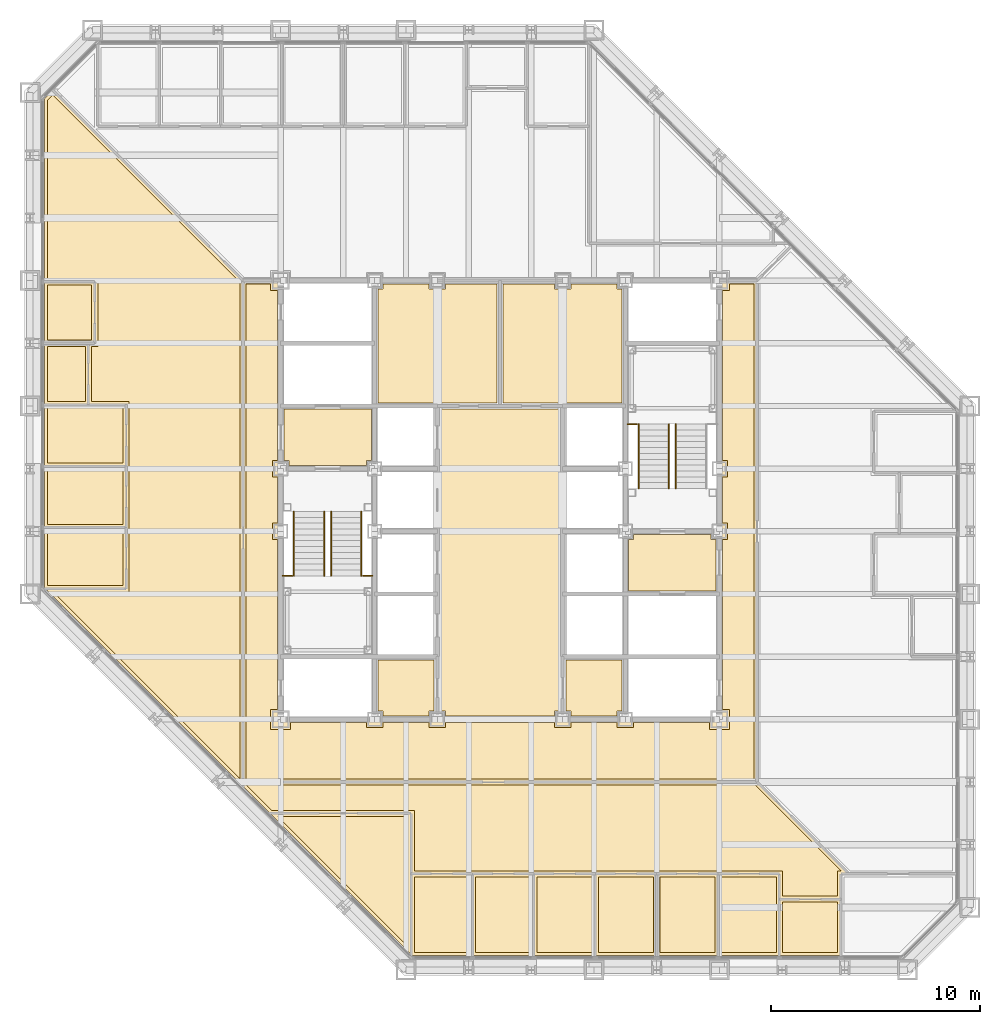
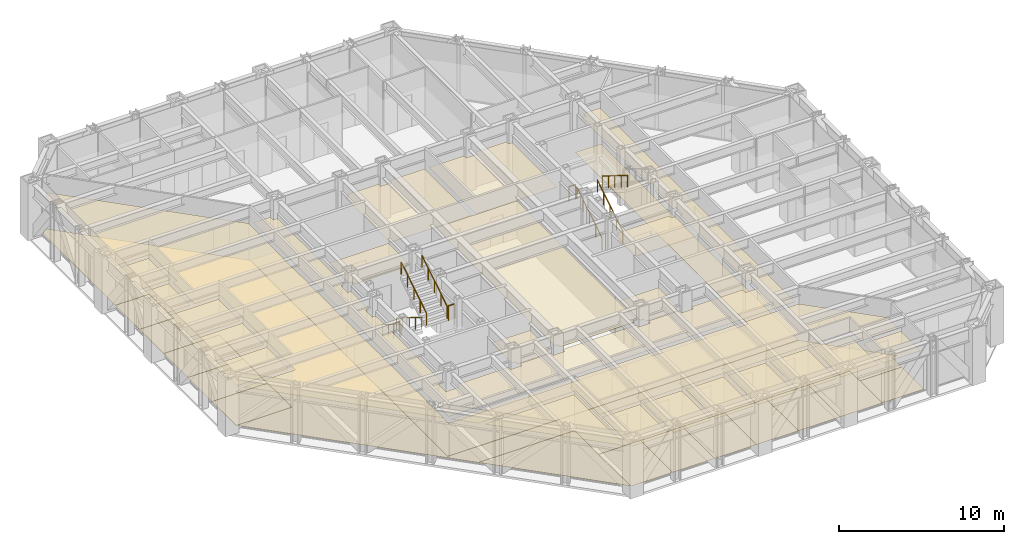
# One storey, part 15 of 17: 38 coverings, 10 railings.
"""IFC4 building model written with IfcOpenShell, lengths in metres."""

from ifc_helpers import new_model, si_unit, direction, frame, origin, origin_2d, place, context, subcontext, project, spatial, polyline, circle, outline, extrude, material, layer, layer_set, type_object, element, save


model = new_model("IFC4")

# Units and contexts
model_context = context("Model", 3, precision=1e-05, world=origin(), true_north=direction((0.0, 1.0)))
body_context = subcontext(model_context, "Body", "Model", "MODEL_VIEW")
ifc_project = project(units=[si_unit("LENGTHUNIT", "METRE"), si_unit("AREAUNIT", "SQUARE_METRE"), si_unit("VOLUMEUNIT", "CUBIC_METRE"), si_unit("PLANEANGLEUNIT", "RADIAN"), si_unit("MASSUNIT", "GRAM", prefix="KILO")], contexts=[model_context])

# Site, building, storey
site_placement = place(None, origin())
site = spatial("IfcSite", under=ifc_project, at=site_placement, CompositionType="ELEMENT")
building_placement = place(site_placement, origin())
building = spatial("IfcBuilding", under=site, at=building_placement, Name="Chuquiago Exchange Tower", CompositionType="ELEMENT")
storey_placement = place(building_placement, frame((0.0, 0.0, 132.0)))
storey = spatial("IfcBuildingStorey", under=building, at=storey_placement, Name="L28", CompositionType="ELEMENT", Elevation=132.0)

# Coverings
ifc_material_1 = material(Name="Mineral fibre tile, 600 x 600, on pale metal grid", Category="mineral fibre")
ifc_layer_1 = layer(ifc_material_1, 0.02001953125)
ifc_layer_set_1 = layer_set([ifc_layer_1], Name="CL1 suspended tile ceiling 20")
covering_type_1 = type_object("IfcCoveringType", Name="CL1 suspended tile ceiling 20", PredefinedType="CEILING", material=ifc_layer_set_1)
covering_1_placement = place(storey_placement, frame((0.0, 0.0, 2.800048828125)))
element("IfcCovering", 1, at=covering_1_placement, inside=storey, type_object=covering_type_1, Name="Ceiling Broker lounge", PredefinedType="CEILING", context=body_context, shape_type="SweptSolid", body=[
    extrude(outline(polyline([(18.098388671875, 7.35009765625), (18.098388671875, 1.103515625), (11.85205078125, 7.35009765625), (18.098388671875, 7.35009765625)])), origin(), (0.0, 0.0, 1.0), 0.02001953125),
])
covering_2_placement = place(storey_placement, frame((0.0, 0.0, 2.800048828125)))
element("IfcCovering", 2, at=covering_2_placement, inside=storey, type_object=covering_type_1, Name="Ceiling Office", PredefinedType="CEILING", context=body_context, shape_type="SweptSolid", body=[
    extrude(outline(polyline([(18.3984375, 4.449951171875), (21.036376953125, 4.449951171875), (21.036376953125, 0.85009765625), (18.3984375, 0.85009765625), (18.3984375, 4.449951171875)])), origin(), (0.0, 0.0, 1.0), 0.02001953125),
])
covering_3_placement = place(storey_placement, frame((0.0, 0.0, 2.800048828125)))
element("IfcCovering", 3, at=covering_3_placement, inside=storey, type_object=covering_type_1, Name="Ceiling Office", PredefinedType="CEILING", context=body_context, shape_type="SweptSolid", body=[
    extrude(outline(polyline([(21.33642578125, 4.449951171875), (23.974365234375, 4.449951171875), (23.974365234375, 0.85009765625), (21.33642578125, 0.85009765625), (21.33642578125, 4.449951171875)])), origin(), (0.0, 0.0, 1.0), 0.02001953125),
])
covering_4_placement = place(storey_placement, frame((0.0, 0.0, 2.800048828125)))
element("IfcCovering", 4, at=covering_4_placement, inside=storey, type_object=covering_type_1, Name="Ceiling Office", PredefinedType="CEILING", context=body_context, shape_type="SweptSolid", body=[
    extrude(outline(polyline([(24.2744140625, 4.449951171875), (26.912109375, 4.449951171875), (26.912109375, 0.85009765625), (24.2744140625, 0.85009765625), (24.2744140625, 4.449951171875)])), origin(), (0.0, 0.0, 1.0), 0.02001953125),
])
covering_5_placement = place(storey_placement, frame((0.0, 0.0, 2.800048828125)))
element("IfcCovering", 5, at=covering_5_placement, inside=storey, type_object=covering_type_1, Name="Ceiling Office", PredefinedType="CEILING", context=body_context, shape_type="SweptSolid", body=[
    extrude(outline(polyline([(27.212158203125, 4.449951171875), (29.85009765625, 4.449951171875), (29.85009765625, 0.85009765625), (27.212158203125, 0.85009765625), (27.212158203125, 4.449951171875)])), origin(), (0.0, 0.0, 1.0), 0.02001953125),
])
covering_6_placement = place(storey_placement, frame((0.0, 0.0, 2.800048828125)))
element("IfcCovering", 6, at=covering_6_placement, inside=storey, type_object=covering_type_1, Name="Ceiling Office", PredefinedType="CEILING", context=body_context, shape_type="SweptSolid", body=[
    extrude(outline(polyline([(30.14990234375, 4.449951171875), (32.787841796875, 4.449951171875), (32.787841796875, 0.85009765625), (30.14990234375, 0.85009765625), (30.14990234375, 4.449951171875)])), origin(), (0.0, 0.0, 1.0), 0.02001953125),
])
covering_7_placement = place(storey_placement, frame((0.0, 0.0, 2.800048828125)))
element("IfcCovering", 7, at=covering_7_placement, inside=storey, type_object=covering_type_1, Name="Ceiling Office", PredefinedType="CEILING", context=body_context, shape_type="SweptSolid", body=[
    extrude(outline(polyline([(33.087890625, 4.449951171875), (35.7255859375, 4.449951171875), (35.7255859375, 0.85009765625), (33.087890625, 0.85009765625), (33.087890625, 4.449951171875)])), origin(), (0.0, 0.0, 1.0), 0.02001953125),
])
covering_8_placement = place(storey_placement, frame((0.0, 0.0, 2.800048828125)))
element("IfcCovering", 8, at=covering_8_placement, inside=storey, type_object=covering_type_1, Name="Ceiling Pantry", PredefinedType="CEILING", context=body_context, shape_type="SweptSolid", body=[
    extrude(outline(polyline([(36.025634765625, 3.25), (38.66357421875, 3.25), (38.66357421875, 0.85009765625), (36.025634765625, 0.85009765625), (36.025634765625, 3.25)])), origin(), (0.0, 0.0, 1.0), 0.02001953125),
])
covering_9_placement = place(storey_placement, frame((0.0, 0.0, 2.800048828125)))
element("IfcCovering", 9, at=covering_9_placement, inside=storey, type_object=covering_type_1, Name="Ceiling Office", PredefinedType="CEILING", context=body_context, shape_type="SweptSolid", body=[
    extrude(outline(polyline([(0.85009765625, 21.036376953125), (4.449951171875, 21.036376953125), (4.449951171875, 18.3984375), (0.85009765625, 18.3984375), (0.85009765625, 21.036376953125)])), origin(), (0.0, 0.0, 1.0), 0.02001953125),
])
covering_10_placement = place(storey_placement, frame((0.0, 0.0, 2.800048828125)))
element("IfcCovering", 10, at=covering_10_placement, inside=storey, type_object=covering_type_1, Name="Ceiling Office", PredefinedType="CEILING", context=body_context, shape_type="SweptSolid", body=[
    extrude(outline(polyline([(4.449951171875, 23.974365234375), (4.449951171875, 21.33642578125), (0.85009765625, 21.33642578125), (0.85009765625, 23.974365234375), (4.449951171875, 23.974365234375)])), origin(), (0.0, 0.0, 1.0), 0.02001953125),
])
covering_11_placement = place(storey_placement, frame((0.0, 0.0, 2.800048828125)))
element("IfcCovering", 11, at=covering_11_placement, inside=storey, type_object=covering_type_1, Name="Ceiling Office", PredefinedType="CEILING", context=body_context, shape_type="SweptSolid", body=[
    extrude(outline(polyline([(4.449951171875, 26.912109375), (4.449951171875, 24.2744140625), (0.85009765625, 24.2744140625), (0.85009765625, 26.912109375), (4.449951171875, 26.912109375)])), origin(), (0.0, 0.0, 1.0), 0.02001953125),
])
covering_12_placement = place(storey_placement, frame((0.0, 0.0, 2.800048828125)))
element("IfcCovering", 12, at=covering_12_placement, inside=storey, type_object=covering_type_1, Name="Ceiling Focus room", PredefinedType="CEILING", context=body_context, shape_type="SweptSolid", body=[
    extrude(outline(polyline([(2.64990234375, 29.85009765625), (2.64990234375, 27.212158203125), (0.85009765625, 27.212158203125), (0.85009765625, 29.85009765625), (2.64990234375, 29.85009765625)])), origin(), (0.0, 0.0, 1.0), 0.02001953125),
])
covering_13_placement = place(storey_placement, frame((0.0, 0.0, 2.800048828125)))
element("IfcCovering", 13, at=covering_13_placement, inside=storey, type_object=covering_type_1, Name="Ceiling Store", PredefinedType="CEILING", context=body_context, shape_type="SweptSolid", body=[
    extrude(outline(polyline([(2.949951171875, 32.787841796875), (2.949951171875, 30.14990234375), (0.85009765625, 30.14990234375), (0.85009765625, 32.787841796875), (2.949951171875, 32.787841796875)])), origin(), (0.0, 0.0, 1.0), 0.02001953125),
])
covering_14_placement = place(storey_placement, frame((0.0, 0.0, 2.800048828125)))
element("IfcCovering", 14, at=covering_14_placement, inside=storey, type_object=covering_type_1, Name="Ceiling Circulation corridor", PredefinedType="CEILING", context=body_context, shape_type="SweptSolid", body=[
    extrude(outline(polyline([(16.10009765625, 11.85009765625), (16.10009765625, 11.60009765625), (16.89990234375, 11.60009765625), (16.89990234375, 11.85009765625), (19.10009765625, 11.85009765625), (19.10009765625, 11.60009765625), (19.89990234375, 11.60009765625), (19.89990234375, 11.85009765625), (25.10009765625, 11.85009765625), (25.10009765625, 11.60009765625), (25.89990234375, 11.60009765625), (25.89990234375, 11.85009765625), (28.10009765625, 11.85009765625), (28.10009765625, 11.60009765625), (28.89990234375, 11.60009765625), (28.89990234375, 11.85009765625), (32.52490234375, 11.85009765625), (32.52490234375, 11.52490234375), (33.47509765625, 11.52490234375), (33.47509765625, 12.47509765625), (33.14990234375, 12.47509765625), (33.14990234375, 20.60009765625), (33.39990234375, 20.60009765625), (33.39990234375, 21.39990234375), (33.14990234375, 21.39990234375), (33.14990234375, 23.60009765625), (33.39990234375, 23.60009765625), (33.39990234375, 24.39990234375), (33.14990234375, 24.39990234375), (33.14990234375, 32.52490234375), (33.47509765625, 32.52490234375), (33.47509765625, 32.85009765625), (34.64990234375, 32.85009765625), (34.64990234375, 9.14990234375), (10.35009765625, 9.14990234375), (10.35009765625, 32.85009765625), (11.52490234375, 32.85009765625), (11.52490234375, 32.52490234375), (11.85009765625, 32.52490234375), (11.85009765625, 24.39990234375), (11.60009765625, 24.39990234375), (11.60009765625, 23.60009765625), (11.85009765625, 23.60009765625), (11.85009765625, 21.39990234375), (11.60009765625, 21.39990234375), (11.60009765625, 20.60009765625), (11.85009765625, 20.60009765625), (11.85009765625, 12.47509765625), (11.52490234375, 12.47509765625), (11.52490234375, 11.52490234375), (12.47509765625, 11.52490234375), (12.47509765625, 11.85009765625), (16.10009765625, 11.85009765625)])), origin(), (0.0, 0.0, 1.0), 0.02001953125),
])
covering_15_placement = place(storey_placement, frame((0.0, 0.0, 2.800048828125)))
element("IfcCovering", 15, at=covering_15_placement, inside=storey, type_object=covering_type_1, Name="Ceiling Open office west", PredefinedType="CEILING", context=body_context, shape_type="SweptSolid", body=[
    extrude(outline(polyline([(1.103515625, 18.098388671875), (4.75, 18.098388671875), (4.75, 27.212158203125), (2.949951171875, 27.212158203125), (2.949951171875, 29.85009765625), (3.25, 29.85009765625), (3.25, 33.087890625), (0.85009765625, 33.087890625), (0.85009765625, 41.64794921875), (1.094482421875, 41.892578125), (10.050048828125, 32.9375), (10.050048828125, 9.152099609375), (1.103515625, 18.098388671875)])), origin(), (0.0, 0.0, 1.0), 0.02001953125),
])
covering_16_placement = place(storey_placement, frame((0.0, 0.0, 2.800048828125)))
element("IfcCovering", 16, at=covering_16_placement, inside=storey, type_object=covering_type_1, Name="Ceiling Open office west", PredefinedType="CEILING", context=body_context, shape_type="SweptSolid", body=[
    extrude(outline(polyline([(34.7373046875, 8.85009765625), (38.837158203125, 4.75), (38.66357421875, 4.75), (38.66357421875, 3.550048828125), (36.025634765625, 3.550048828125), (36.025634765625, 4.75), (18.3984375, 4.75), (18.3984375, 7.64990234375), (11.552001953125, 7.64990234375), (10.35205078125, 8.85009765625), (34.7373046875, 8.85009765625)])), origin(), (0.0, 0.0, 1.0), 0.02001953125),
])
ifc_material_2 = material(Name="Moisture resistant plasterboard on metal frame", Category="gypsum")
ifc_layer_2 = layer(ifc_material_2, 0.014892578125)
ifc_layer_set_2 = layer_set([ifc_layer_2], Name="CL2 moisture resistant ceiling 15")
covering_type_2 = type_object("IfcCoveringType", Name="CL2 moisture resistant ceiling 15", PredefinedType="CEILING", material=ifc_layer_set_2)
covering_17_placement = place(storey_placement, frame((0.0, 0.0, 2.60009765625)))
element("IfcCovering", 17, at=covering_17_placement, inside=storey, type_object=covering_type_2, Name="Ceiling Male WC", PredefinedType="CEILING", context=body_context, shape_type="SweptSolid", body=[
    extrude(outline(polyline([(16.64990234375, 27.14990234375), (16.64990234375, 32.60009765625), (16.89990234375, 32.60009765625), (16.89990234375, 32.85009765625), (19.10009765625, 32.85009765625), (19.10009765625, 32.60009765625), (19.89990234375, 32.60009765625), (19.89990234375, 32.85009765625), (22.35009765625, 32.85009765625), (22.35009765625, 27.14990234375), (16.64990234375, 27.14990234375)])), origin(), (0.0, 0.0, 1.0), 0.014892578125),
])
covering_18_placement = place(storey_placement, frame((0.0, 0.0, 2.60009765625)))
element("IfcCovering", 18, at=covering_18_placement, inside=storey, type_object=covering_type_2, Name="Ceiling Female WC", PredefinedType="CEILING", context=body_context, shape_type="SweptSolid", body=[
    extrude(outline(polyline([(22.64990234375, 27.14990234375), (22.64990234375, 32.85009765625), (25.10009765625, 32.85009765625), (25.10009765625, 32.60009765625), (25.89990234375, 32.60009765625), (25.89990234375, 32.85009765625), (28.10009765625, 32.85009765625), (28.10009765625, 32.60009765625), (28.35009765625, 32.60009765625), (28.35009765625, 27.14990234375), (22.64990234375, 27.14990234375)])), origin(), (0.0, 0.0, 1.0), 0.014892578125),
])
covering_19_placement = place(storey_placement, frame((0.0, 0.0, 2.60009765625)))
element("IfcCovering", 19, at=covering_19_placement, inside=storey, type_object=covering_type_2, Name="Ceiling Accessible WC", PredefinedType="CEILING", context=body_context, shape_type="SweptSolid", body=[
    extrude(outline(polyline([(25.89990234375, 12.14990234375), (25.89990234375, 12.39990234375), (25.64990234375, 12.39990234375), (25.64990234375, 14.85009765625), (28.35009765625, 14.85009765625), (28.35009765625, 12.39990234375), (28.10009765625, 12.39990234375), (28.10009765625, 12.14990234375), (25.89990234375, 12.14990234375)])), origin(), (0.0, 0.0, 1.0), 0.014892578125),
])
covering_20_placement = place(storey_placement, frame((0.0, 0.0, 2.60009765625)))
element("IfcCovering", 20, at=covering_20_placement, inside=storey, type_object=covering_type_2, Name="Ceiling Cleaner", PredefinedType="CEILING", context=body_context, shape_type="SweptSolid", body=[
    extrude(outline(polyline([(16.89990234375, 12.14990234375), (16.89990234375, 12.39990234375), (16.64990234375, 12.39990234375), (16.64990234375, 14.85009765625), (19.35009765625, 14.85009765625), (19.35009765625, 12.39990234375), (19.10009765625, 12.39990234375), (19.10009765625, 12.14990234375), (16.89990234375, 12.14990234375)])), origin(), (0.0, 0.0, 1.0), 0.014892578125),
])
ifc_material_3 = material(Name="Pale metal plank ceiling, perforated", Category="aluminium")
ifc_layer_3 = layer(ifc_material_3, 0.030029296875)
ifc_layer_set_3 = layer_set([ifc_layer_3], Name="CL3 metal plank ceiling 30")
covering_type_3 = type_object("IfcCoveringType", Name="CL3 metal plank ceiling 30", PredefinedType="CEILING", material=ifc_layer_set_3)
covering_21_placement = place(storey_placement, frame((0.0, 0.0, 2.800048828125)))
element("IfcCovering", 21, at=covering_21_placement, inside=storey, type_object=covering_type_3, Name="Ceiling Lift lobby", PredefinedType="CEILING", context=body_context, shape_type="SweptSolid", body=[
    extrude(outline(polyline([(19.89990234375, 12.14990234375), (19.89990234375, 12.39990234375), (19.64990234375, 12.39990234375), (19.64990234375, 26.85009765625), (25.35009765625, 26.85009765625), (25.35009765625, 12.39990234375), (25.10009765625, 12.39990234375), (25.10009765625, 12.14990234375), (19.89990234375, 12.14990234375)])), origin(), (0.0, 0.0, 1.0), 0.030029296875),
])
covering_22_placement = place(storey_placement, frame((0.0, 0.0, 2.800048828125)))
element("IfcCovering", 22, at=covering_22_placement, inside=storey, type_object=covering_type_3, Name="Ceiling Firefighting lobby", PredefinedType="CEILING", context=body_context, shape_type="SweptSolid", body=[
    extrude(outline(polyline([(12.39990234375, 24.14990234375), (12.39990234375, 24.39990234375), (12.14990234375, 24.39990234375), (12.14990234375, 26.85009765625), (16.35009765625, 26.85009765625), (16.35009765625, 24.39990234375), (16.10009765625, 24.39990234375), (16.10009765625, 24.14990234375), (12.39990234375, 24.14990234375)])), origin(), (0.0, 0.0, 1.0), 0.030029296875),
])
covering_23_placement = place(storey_placement, frame((0.0, 0.0, 2.800048828125)))
element("IfcCovering", 23, at=covering_23_placement, inside=storey, type_object=covering_type_3, Name="Ceiling Firefighting lobby", PredefinedType="CEILING", context=body_context, shape_type="SweptSolid", body=[
    extrude(outline(polyline([(28.64990234375, 18.14990234375), (28.64990234375, 20.60009765625), (28.89990234375, 20.60009765625), (28.89990234375, 20.85009765625), (32.60009765625, 20.85009765625), (32.60009765625, 20.60009765625), (32.85009765625, 20.60009765625), (32.85009765625, 18.14990234375), (28.64990234375, 18.14990234375)])), origin(), (0.0, 0.0, 1.0), 0.030029296875),
])
ifc_material_4 = material(Name="Carpet tile, 500 x 500, on the floor slab", Category="textile")
ifc_layer_4 = layer(ifc_material_4, 0.010009765625)
ifc_layer_set_4 = layer_set([ifc_layer_4], Name="FL1 carpet tile 10")
covering_type_4 = type_object("IfcCoveringType", Name="FL1 carpet tile 10", PredefinedType="FLOORING", material=ifc_layer_set_4)
covering_24_placement = place(storey_placement, origin())
element("IfcCovering", 24, at=covering_24_placement, inside=storey, type_object=covering_type_4, Name="Floor finish Office", PredefinedType="FLOORING", context=body_context, shape_type="SweptSolid", body=[
    extrude(outline(polyline([(18.289794921875, 0.699951171875), (18.24853515625, 0.741455078125), (18.24853515625, 4.60009765625), (21.186279296875, 4.60009765625), (21.186279296875, 0.699951171875), (18.289794921875, 0.699951171875)])), origin(), (0.0, 0.0, 1.0), 0.010009765625),
])
covering_25_placement = place(storey_placement, origin())
element("IfcCovering", 25, at=covering_25_placement, inside=storey, type_object=covering_type_4, Name="Floor finish Office", PredefinedType="FLOORING", context=body_context, shape_type="SweptSolid", body=[
    extrude(outline(polyline([(21.186279296875, 0.699951171875), (21.186279296875, 4.60009765625), (24.124267578125, 4.60009765625), (24.124267578125, 0.699951171875), (21.186279296875, 0.699951171875)])), origin(), (0.0, 0.0, 1.0), 0.010009765625),
])
covering_26_placement = place(storey_placement, origin())
element("IfcCovering", 26, at=covering_26_placement, inside=storey, type_object=covering_type_4, Name="Floor finish Office", PredefinedType="FLOORING", context=body_context, shape_type="SweptSolid", body=[
    extrude(outline(polyline([(24.124267578125, 0.699951171875), (24.124267578125, 4.60009765625), (27.06201171875, 4.60009765625), (27.06201171875, 0.699951171875), (24.124267578125, 0.699951171875)])), origin(), (0.0, 0.0, 1.0), 0.010009765625),
])
covering_27_placement = place(storey_placement, origin())
element("IfcCovering", 27, at=covering_27_placement, inside=storey, type_object=covering_type_4, Name="Floor finish Office", PredefinedType="FLOORING", context=body_context, shape_type="SweptSolid", body=[
    extrude(outline(polyline([(27.06201171875, 0.699951171875), (27.06201171875, 4.60009765625), (30.0, 4.60009765625), (30.0, 0.699951171875), (27.06201171875, 0.699951171875)])), origin(), (0.0, 0.0, 1.0), 0.010009765625),
])
covering_28_placement = place(storey_placement, origin())
element("IfcCovering", 28, at=covering_28_placement, inside=storey, type_object=covering_type_4, Name="Floor finish Office", PredefinedType="FLOORING", context=body_context, shape_type="SweptSolid", body=[
    extrude(outline(polyline([(30.0, 0.699951171875), (30.0, 4.60009765625), (32.93798828125, 4.60009765625), (32.93798828125, 0.699951171875), (30.0, 0.699951171875)])), origin(), (0.0, 0.0, 1.0), 0.010009765625),
])
covering_29_placement = place(storey_placement, origin())
element("IfcCovering", 29, at=covering_29_placement, inside=storey, type_object=covering_type_4, Name="Floor finish Office", PredefinedType="FLOORING", context=body_context, shape_type="SweptSolid", body=[
    extrude(outline(polyline([(32.93798828125, 0.699951171875), (32.93798828125, 4.60009765625), (35.875732421875, 4.60009765625), (35.875732421875, 0.699951171875), (32.93798828125, 0.699951171875)])), origin(), (0.0, 0.0, 1.0), 0.010009765625),
])
covering_30_placement = place(storey_placement, origin())
element("IfcCovering", 30, at=covering_30_placement, inside=storey, type_object=covering_type_4, Name="Floor finish Office", PredefinedType="FLOORING", context=body_context, shape_type="SweptSolid", body=[
    extrude(outline(polyline([(0.699951171875, 21.186279296875), (4.60009765625, 21.186279296875), (4.60009765625, 18.24853515625), (0.741455078125, 18.24853515625), (0.699951171875, 18.289794921875), (0.699951171875, 21.186279296875)])), origin(), (0.0, 0.0, 1.0), 0.010009765625),
])
covering_31_placement = place(storey_placement, origin())
element("IfcCovering", 31, at=covering_31_placement, inside=storey, type_object=covering_type_4, Name="Floor finish Office", PredefinedType="FLOORING", context=body_context, shape_type="SweptSolid", body=[
    extrude(outline(polyline([(0.699951171875, 24.124267578125), (4.60009765625, 24.124267578125), (4.60009765625, 21.186279296875), (0.699951171875, 21.186279296875), (0.699951171875, 24.124267578125)])), origin(), (0.0, 0.0, 1.0), 0.010009765625),
])
covering_32_placement = place(storey_placement, origin())
element("IfcCovering", 32, at=covering_32_placement, inside=storey, type_object=covering_type_4, Name="Floor finish Office", PredefinedType="FLOORING", context=body_context, shape_type="SweptSolid", body=[
    extrude(outline(polyline([(0.699951171875, 27.06201171875), (4.60009765625, 27.06201171875), (4.60009765625, 24.124267578125), (0.699951171875, 24.124267578125), (0.699951171875, 27.06201171875)])), origin(), (0.0, 0.0, 1.0), 0.010009765625),
])
covering_33_placement = place(storey_placement, origin())
element("IfcCovering", 33, at=covering_33_placement, inside=storey, type_object=covering_type_4, Name="Floor finish Focus room", PredefinedType="FLOORING", context=body_context, shape_type="SweptSolid", body=[
    extrude(outline(polyline([(0.699951171875, 30.0), (2.800048828125, 30.0), (2.800048828125, 27.06201171875), (0.699951171875, 27.06201171875), (0.699951171875, 30.0)])), origin(), (0.0, 0.0, 1.0), 0.010009765625),
])
covering_34_placement = place(storey_placement, origin())
element("IfcCovering", 34, at=covering_34_placement, inside=storey, type_object=covering_type_4, Name="Floor finish Open office west", PredefinedType="FLOORING", context=body_context, shape_type="SweptSolid", body=[
    extrude(outline(polyline([(38.813720703125, 4.60009765625), (38.813720703125, 3.39990234375), (35.875732421875, 3.39990234375), (35.875732421875, 4.60009765625), (18.24853515625, 4.60009765625), (18.24853515625, 7.5), (11.489990234375, 7.5), (18.24853515625, 0.741455078125), (0.741455078125, 18.24853515625), (4.60009765625, 18.24853515625), (4.60009765625, 27.06201171875), (2.800048828125, 27.06201171875), (2.800048828125, 30.0), (3.10009765625, 30.0), (3.10009765625, 32.93798828125), (0.699951171875, 32.93798828125), (0.699951171875, 41.710205078125), (1.094482421875, 42.104736328125), (10.199951171875, 32.99951171875), (10.199951171875, 9.0), (34.799560546875, 9.0), (39.19921875, 4.60009765625), (38.813720703125, 4.60009765625)])), origin(), (0.0, 0.0, 1.0), 0.010009765625),
])
ifc_material_5 = material(Name="Porcelain floor tile, 600 x 600, on adhesive bed", Category="ceramic")
ifc_layer_5 = layer(ifc_material_5, 0.014892578125)
ifc_layer_set_5 = layer_set([ifc_layer_5], Name="FL2 porcelain tile 15")
covering_type_5 = type_object("IfcCoveringType", Name="FL2 porcelain tile 15", PredefinedType="FLOORING", material=ifc_layer_set_5)
covering_35_placement = place(storey_placement, origin())
element("IfcCovering", 35, at=covering_35_placement, inside=storey, type_object=covering_type_5, Name="Floor finish Broker lounge", PredefinedType="FLOORING", context=body_context, shape_type="SweptSolid", body=[
    extrude(outline(polyline([(11.489990234375, 7.5), (18.24853515625, 7.5), (18.24853515625, 0.741455078125), (11.489990234375, 7.5)])), origin(), (0.0, 0.0, 1.0), 0.014892578125),
])
covering_36_placement = place(storey_placement, origin())
element("IfcCovering", 36, at=covering_36_placement, inside=storey, type_object=covering_type_5, Name="Floor finish Pantry", PredefinedType="FLOORING", context=body_context, shape_type="SweptSolid", body=[
    extrude(outline(polyline([(35.875732421875, 0.699951171875), (35.875732421875, 3.39990234375), (38.813720703125, 3.39990234375), (38.813720703125, 0.699951171875), (35.875732421875, 0.699951171875)])), origin(), (0.0, 0.0, 1.0), 0.014892578125),
])
covering_37_placement = place(storey_placement, origin())
element("IfcCovering", 37, at=covering_37_placement, inside=storey, type_object=covering_type_5, Name="Floor finish Store", PredefinedType="FLOORING", context=body_context, shape_type="SweptSolid", body=[
    extrude(outline(polyline([(0.699951171875, 32.93798828125), (3.10009765625, 32.93798828125), (3.10009765625, 30.0), (0.699951171875, 30.0), (0.699951171875, 32.93798828125)])), origin(), (0.0, 0.0, 1.0), 0.014892578125),
])
covering_38_placement = place(storey_placement, origin())
element("IfcCovering", 38, at=covering_38_placement, inside=storey, type_object=covering_type_5, Name="Floor finish Circulation corridor", PredefinedType="FLOORING", context=body_context, shape_type="SweptSolid", body=[
    extrude(outline(polyline([(12.0, 12.0), (33.0, 12.0), (33.0, 33.0), (34.800048828125, 33.0), (34.800048828125, 9.0), (10.199951171875, 9.0), (10.199951171875, 33.0), (12.0, 33.0), (12.0, 12.0)])), origin(), (0.0, 0.0, 1.0), 0.014892578125),
])

# Railings
ifc_material_6 = material(Name="Pale metal guard with safety glass infill", Category="glass")
railing_type_1 = type_object("IfcRailingType", Name="GR1 guard 1100", PredefinedType="GUARDRAIL", material=ifc_material_6)
for number, where, name in (
    (39, (12.10009765625, 18.8701171875, 2.10009765625), "Guard ST1 L28 landing 2"),
    (40, (15.945068359375, 18.8701171875, 2.10009765625), "Guard ST1 L28 landing 2"),
    (41, (28.60009765625, 26.1298828125, 2.10009765625), "Guard ST2 L28 landing 2"),
):
    element("IfcRailing", number, at=place(storey_placement, frame(where)), inside=storey, type_object=railing_type_1, Name=name, PredefinedType="GUARDRAIL", context=body_context, shape_type="SweptSolid", body=[
        extrude(circle(Radius=0.02392578125, at=origin_2d()), frame((0.0, 0.0, 1.076171875), z_axis=(1.0, 0.0, 0.0), x_axis=(0.0, 1.0, 0.0)), (0.0, 0.0, 1.0), 0.454833984375),
        extrude(circle(Radius=0.02099609375, at=origin_2d()), origin(), (0.0, 0.0, 1.0), 1.052001953125),
        extrude(circle(Radius=0.02099609375, at=origin_2d()), frame((0.454833984375, 0.0, 0.0)), (0.0, 0.0, 1.0), 1.052001953125),
    ])
ifc_material_7 = material(Name="Pale metal handrail", Category="steel")
railing_type_2 = type_object("IfcRailingType", Name="HR1 handrail 900", PredefinedType="HANDRAIL", material=ifc_material_7)
for number, where, name in (
    (42, (12.635009765625, 21.949951171875, 0.175048828125), "Handrail ST1 L28 flight 1"),
    (43, (14.0849609375, 21.949951171875, 0.175048828125), "Handrail ST1 L28 flight 1"),
):
    element("IfcRailing", number, at=place(storey_placement, frame(where)), inside=storey, type_object=railing_type_2, Name=name, PredefinedType="HANDRAIL", context=body_context, shape_type="SweptSolid", body=[
        extrude(circle(Radius=0.02392578125, at=origin_2d()), frame((0.0, 0.0, 0.8759765625), z_axis=(0.0, -0.847979421464, 0.530029150871), x_axis=(1.0, 0.0, 0.0)), (0.0, 0.0, 1.0), 3.632080078125),
        extrude(circle(Radius=0.02099609375, at=origin_2d()), origin(), (0.0, 0.0, 1.0), 0.851806640625),
        extrude(circle(Radius=0.02099609375, at=origin_2d()), frame((0.0, -0.77001953125, 0.481201171875)), (0.0, 0.0, 1.0), 0.851806640625),
        extrude(circle(Radius=0.02099609375, at=origin_2d()), frame((0.0, -1.5400390625, 0.96240234375)), (0.0, 0.0, 1.0), 0.851806640625),
        extrude(circle(Radius=0.02099609375, at=origin_2d()), frame((0.0, -2.309814453125, 1.44384765625)), (0.0, 0.0, 1.0), 0.851806640625),
        extrude(circle(Radius=0.02099609375, at=origin_2d()), frame((0.0, -3.079833984375, 1.925048828125)), (0.0, 0.0, 1.0), 0.851806640625),
    ])
for number, where, name in (
    (44, (15.864990234375, 18.8701171875, 2.27490234375), "Handrail ST1 L28 flight 2"),
    (45, (14.4150390625, 18.8701171875, 2.27490234375), "Handrail ST1 L28 flight 2"),
    (46, (30.5849609375, 23.050048828125, 0.175048828125), "Handrail ST2 L28 flight 1"),
    (47, (29.135009765625, 23.050048828125, 0.175048828125), "Handrail ST2 L28 flight 1"),
):
    element("IfcRailing", number, at=place(storey_placement, frame(where)), inside=storey, type_object=railing_type_2, Name=name, PredefinedType="HANDRAIL", context=body_context, shape_type="SweptSolid", body=[
        extrude(circle(Radius=0.02392578125, at=origin_2d()), frame((0.0, 0.0, 0.8759765625), z_axis=(0.0, 0.847979421464, 0.530029150871), x_axis=(-1.0, 0.0, 0.0)), (0.0, 0.0, 1.0), 3.632080078125),
        extrude(circle(Radius=0.02099609375, at=origin_2d()), origin(), (0.0, 0.0, 1.0), 0.851806640625),
        extrude(circle(Radius=0.02099609375, at=origin_2d()), frame((0.0, 0.77001953125, 0.481201171875)), (0.0, 0.0, 1.0), 0.851806640625),
        extrude(circle(Radius=0.02099609375, at=origin_2d()), frame((0.0, 1.5400390625, 0.96240234375)), (0.0, 0.0, 1.0), 0.851806640625),
        extrude(circle(Radius=0.02099609375, at=origin_2d()), frame((0.0, 2.309814453125, 1.44384765625)), (0.0, 0.0, 1.0), 0.851806640625),
        extrude(circle(Radius=0.02099609375, at=origin_2d()), frame((0.0, 3.079833984375, 1.925048828125)), (0.0, 0.0, 1.0), 0.851806640625),
    ])
railing_placement = place(storey_placement, frame((30.9150390625, 26.1298828125, 2.27490234375)))
element("IfcRailing", 48, at=railing_placement, inside=storey, type_object=railing_type_2, Name="Handrail ST2 L28 flight 2", PredefinedType="HANDRAIL", context=body_context, shape_type="SweptSolid", body=[
    extrude(circle(Radius=0.02392578125, at=origin_2d()), frame((0.0, 0.0, 0.8759765625), z_axis=(0.0, -0.847979421464, 0.530029150871), x_axis=(1.0, 0.0, 0.0)), (0.0, 0.0, 1.0), 3.632080078125),
    extrude(circle(Radius=0.02099609375, at=origin_2d()), origin(), (0.0, 0.0, 1.0), 0.851806640625),
    extrude(circle(Radius=0.02099609375, at=origin_2d()), frame((0.0, -0.77001953125, 0.481201171875)), (0.0, 0.0, 1.0), 0.851806640625),
    extrude(circle(Radius=0.02099609375, at=origin_2d()), frame((0.0, -1.5400390625, 0.96240234375)), (0.0, 0.0, 1.0), 0.851806640625),
    extrude(circle(Radius=0.02099609375, at=origin_2d()), frame((0.0, -2.309814453125, 1.44384765625)), (0.0, 0.0, 1.0), 0.851806640625),
    extrude(circle(Radius=0.02099609375, at=origin_2d()), frame((0.0, -3.079833984375, 1.925048828125)), (0.0, 0.0, 1.0), 0.851806640625),
])

save(model, "model.ifc")
